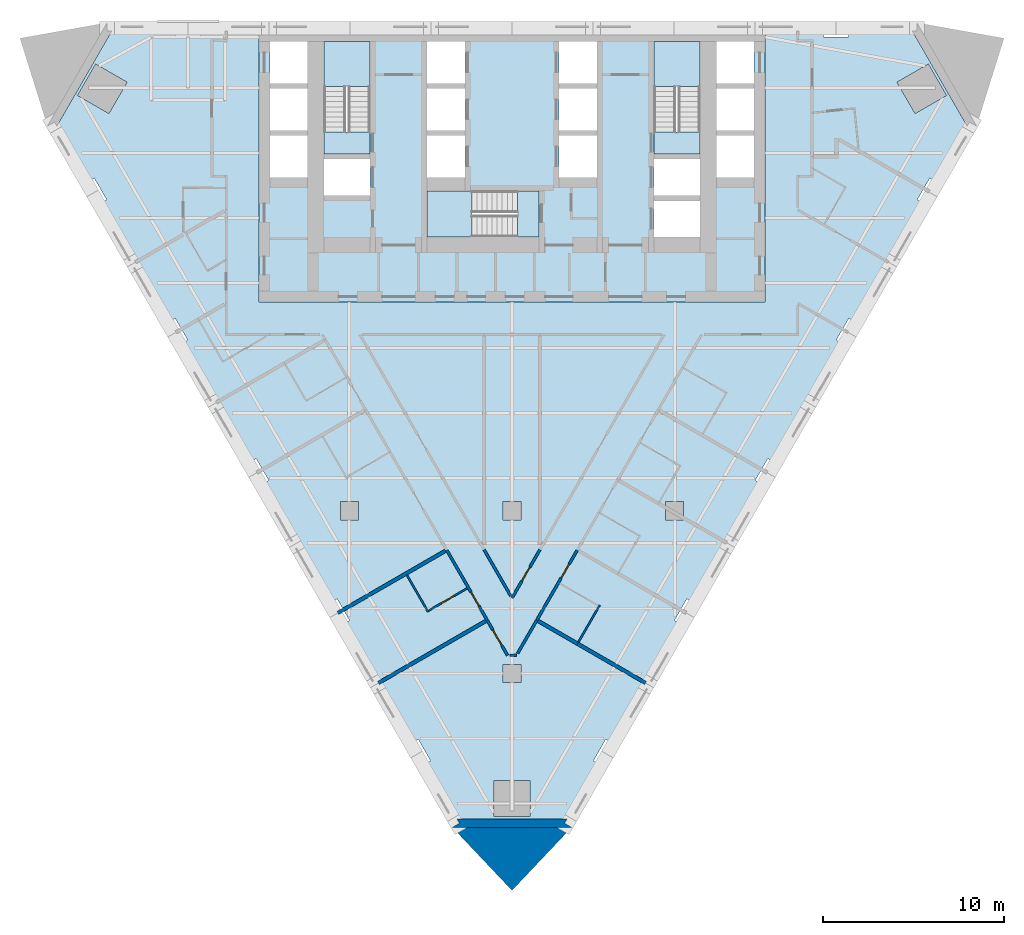
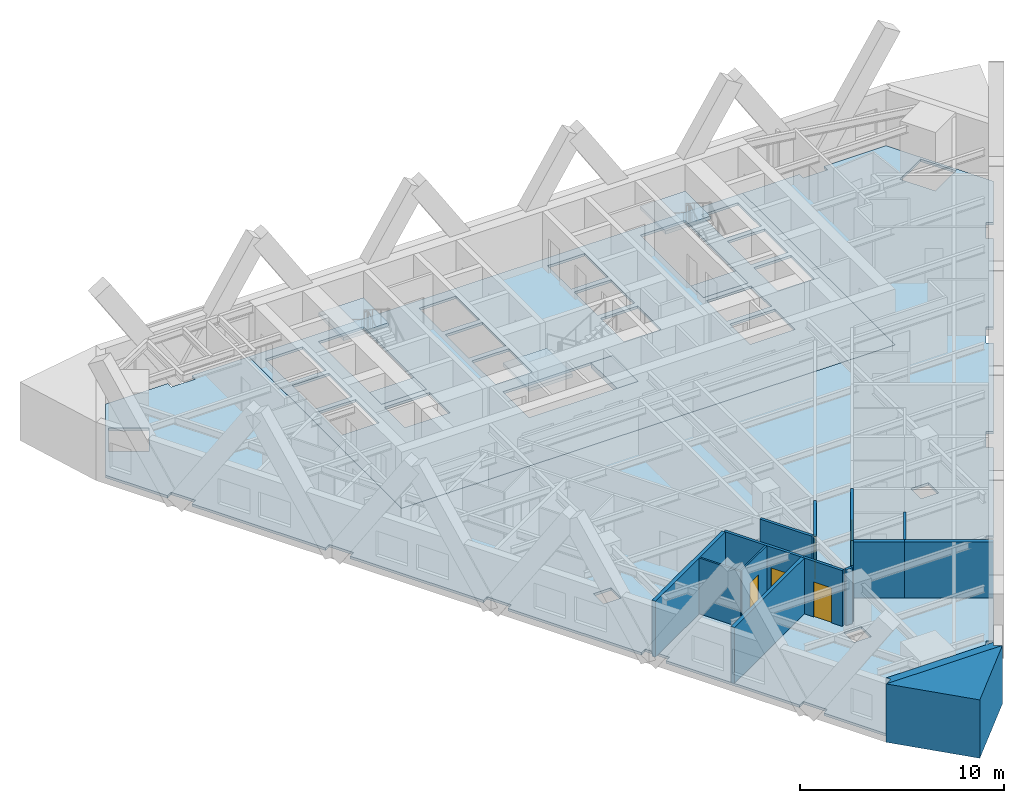
# One storey, part 2 of 9: 16 walls, 8 slabs, 5 doors, 5 openings, 3 elements without a shape of their own.
"""IFC4 building model written with IfcOpenShell, lengths in metres."""

from ifc_helpers import new_model, si_unit, direction, frame, frame_2d, origin, place, context, subcontext, project, spatial, polyline, rectangle, outline, extrude, material, layer, layer_set, type_object, element, fill, aggregate, save


model = new_model("IFC4")

# Units and contexts
model_context = context("Model", 3, precision=1e-05, world=origin(), true_north=direction((0.0, 1.0)))
body_context = subcontext(model_context, "Body", "Model", "MODEL_VIEW")
ifc_project = project(units=[si_unit("LENGTHUNIT", "METRE"), si_unit("AREAUNIT", "SQUARE_METRE"), si_unit("VOLUMEUNIT", "CUBIC_METRE"), si_unit("PLANEANGLEUNIT", "RADIAN"), si_unit("MASSUNIT", "GRAM", prefix="KILO")], contexts=[model_context])

# Site, building, storey
site_placement = place(None, origin())
site = spatial("IfcSite", under=ifc_project, at=site_placement, CompositionType="ELEMENT")
building_placement = place(site_placement, origin())
building = spatial("IfcBuilding", under=site, at=building_placement, Name="Aloe Facet Convention Tower", CompositionType="ELEMENT")
storey_placement = place(building_placement, frame((0.0, 0.0, 42.0)))
storey = spatial("IfcBuildingStorey", under=building, at=storey_placement, Name="L08", CompositionType="ELEMENT", Elevation=42.0)

# Slabs
ifc_material_1 = material(Name="Concrete C80/95", Category="concrete")
ifc_layer_1 = layer(ifc_material_1, 0.14990234375)
ifc_layer_set_1 = layer_set([ifc_layer_1], Name="CR-S-FLOOR150-C8095")
slab_type_1 = type_object("IfcSlabType", Name="CR-S-FLOOR150-C8095", PredefinedType="FLOOR", material=ifc_layer_set_1)
slab_1_placement = place(storey_placement, frame((0.0, 0.0, -0.14990234375)))
element("IfcSlab", 1, at=slab_1_placement, inside=storey, type_object=slab_type_1, Name="Core floor L08", PredefinedType="FLOOR", context=body_context, shape_type="SweptSolid", body=[
    extrude(outline(polyline([(69.300048828125, 134.550048828125), (71.85009765625, 134.550048828125), (72.75, 134.550048828125), (74.699951171875, 134.550048828125), (75.60009765625, 134.550048828125), (77.10009765625, 134.550048828125), (78.0, 134.550048828125), (82.0, 134.550048828125), (82.89990234375, 134.550048828125), (84.39990234375, 134.550048828125), (85.300048828125, 134.550048828125), (87.25, 134.550048828125), (88.14990234375, 134.550048828125), (90.699951171875, 134.550048828125), (91.0, 134.550048828125), (94.0, 134.550048828125), (94.0, 131.949951171875), (94.0, 131.050048828125), (94.0, 129.35009765625), (94.0, 128.449951171875), (94.0, 126.449951171875), (94.0, 125.85009765625), (94.0, 123.57373046875), (94.0, 122.523681640625), (94.0, 119.550048828125), (91.300048828125, 119.550048828125), (90.699951171875, 119.550048828125), (87.89990234375, 119.550048828125), (86.85009765625, 119.550048828125), (85.699951171875, 119.550048828125), (84.64990234375, 119.550048828125), (83.699951171875, 119.550048828125), (82.64990234375, 119.550048828125), (81.75, 119.550048828125), (80.699951171875, 119.550048828125), (79.61669921875, 119.550048828125), (78.566650390625, 119.550048828125), (77.4833984375, 119.550048828125), (76.433349609375, 119.550048828125), (75.35009765625, 119.550048828125), (74.300048828125, 119.550048828125), (73.14990234375, 119.550048828125), (72.10009765625, 119.550048828125), (69.300048828125, 119.550048828125), (68.699951171875, 119.550048828125), (66.0, 119.550048828125), (66.0, 122.523681640625), (66.0, 123.57373046875), (66.0, 125.85009765625), (66.0, 126.449951171875), (66.0, 128.449951171875), (66.0, 129.35009765625), (66.0, 131.050048828125), (66.0, 131.949951171875), (66.0, 134.550048828125), (69.0, 134.550048828125), (69.300048828125, 134.550048828125)]), holes=[polyline([(75.300048828125, 123.14990234375), (80.298828125, 123.14990234375), (81.5, 123.14990234375), (81.5, 125.699951171875), (80.298828125, 125.699951171875), (75.300048828125, 125.699951171875), (75.300048828125, 123.14990234375)]), polyline([(69.60009765625, 125.449951171875), (72.14990234375, 125.449951171875), (72.14990234375, 127.449951171875), (69.60009765625, 127.449951171875), (69.60009765625, 125.449951171875)]), polyline([(66.60009765625, 126.449951171875), (68.699951171875, 126.449951171875), (68.699951171875, 128.75), (66.60009765625, 128.75), (66.60009765625, 126.449951171875)]), polyline([(75.300048828125, 126.449951171875), (77.39990234375, 126.449951171875), (77.39990234375, 128.75), (75.300048828125, 128.75), (75.300048828125, 126.449951171875)]), polyline([(66.60009765625, 129.050048828125), (68.699951171875, 129.050048828125), (68.699951171875, 131.35009765625), (66.60009765625, 131.35009765625), (66.60009765625, 129.050048828125)]), polyline([(75.300048828125, 129.050048828125), (77.39990234375, 129.050048828125), (77.39990234375, 131.35009765625), (75.300048828125, 131.35009765625), (75.300048828125, 129.050048828125)]), polyline([(69.60009765625, 133.949951171875), (69.60009765625, 128.951171875), (69.60009765625, 127.75), (72.14990234375, 127.75), (72.14990234375, 128.951171875), (72.14990234375, 133.949951171875), (69.60009765625, 133.949951171875)]), polyline([(66.60009765625, 133.949951171875), (66.60009765625, 131.64990234375), (68.699951171875, 131.64990234375), (68.699951171875, 133.949951171875), (66.60009765625, 133.949951171875)]), polyline([(75.300048828125, 133.949951171875), (75.300048828125, 131.64990234375), (77.39990234375, 131.64990234375), (77.39990234375, 133.949951171875), (75.300048828125, 133.949951171875)]), polyline([(87.85009765625, 123.14990234375), (90.39990234375, 123.14990234375), (90.39990234375, 125.14990234375), (87.85009765625, 125.14990234375), (87.85009765625, 123.14990234375)]), polyline([(87.85009765625, 125.449951171875), (90.39990234375, 125.449951171875), (90.39990234375, 127.449951171875), (87.85009765625, 127.449951171875), (87.85009765625, 125.449951171875)]), polyline([(82.60009765625, 126.449951171875), (84.699951171875, 126.449951171875), (84.699951171875, 128.75), (82.60009765625, 128.75), (82.60009765625, 126.449951171875)]), polyline([(91.300048828125, 126.449951171875), (93.39990234375, 126.449951171875), (93.39990234375, 128.75), (91.300048828125, 128.75), (91.300048828125, 126.449951171875)]), polyline([(82.60009765625, 129.050048828125), (84.699951171875, 129.050048828125), (84.699951171875, 131.35009765625), (82.60009765625, 131.35009765625), (82.60009765625, 129.050048828125)]), polyline([(91.300048828125, 129.050048828125), (93.39990234375, 129.050048828125), (93.39990234375, 131.35009765625), (91.300048828125, 131.35009765625), (91.300048828125, 129.050048828125)]), polyline([(87.85009765625, 133.949951171875), (87.85009765625, 128.951171875), (87.85009765625, 127.75), (90.39990234375, 127.75), (90.39990234375, 128.951171875), (90.39990234375, 133.949951171875), (87.85009765625, 133.949951171875)]), polyline([(82.60009765625, 133.949951171875), (82.60009765625, 131.64990234375), (84.699951171875, 131.64990234375), (84.699951171875, 133.949951171875), (82.60009765625, 133.949951171875)]), polyline([(91.300048828125, 133.949951171875), (91.300048828125, 131.64990234375), (93.39990234375, 131.64990234375), (93.39990234375, 133.949951171875), (91.300048828125, 133.949951171875)])]), origin(), (0.0, 0.0, 1.0), 0.14990234375),
])
ifc_material_2 = material(Name="Concrete C80/95", Category="concrete")
ifc_layer_2 = layer(ifc_material_2, 0.300048828125)
ifc_layer_set_2 = layer_set([ifc_layer_2], Name="CR-S-FLOOR300-C8095")
slab_type_2 = type_object("IfcSlabType", Name="CR-S-FLOOR300-C8095", PredefinedType="FLOOR", material=ifc_layer_set_2)
slab_2_placement = place(storey_placement, frame((0.0, 0.0, -0.300048828125)))
element("IfcSlab", 2, at=slab_2_placement, inside=storey, type_object=slab_type_2, Name="Stair landing floor L08", PredefinedType="FLOOR", context=body_context, shape_type="SweptSolid", body=[
    extrude(outline(polyline([(72.14990234375, 127.75), (72.14990234375, 128.951171875), (69.60009765625, 128.951171875), (69.60009765625, 127.75), (72.14990234375, 127.75)])), origin(), (0.0, 0.0, 1.0), 0.300048828125),
])
slab_3_placement = place(storey_placement, frame((0.0, 0.0, -0.300048828125)))
element("IfcSlab", 3, at=slab_3_placement, inside=storey, type_object=slab_type_2, Name="Stair landing floor L08", PredefinedType="FLOOR", context=body_context, shape_type="SweptSolid", body=[
    extrude(outline(polyline([(90.39990234375, 127.75), (90.39990234375, 128.951171875), (87.85009765625, 128.951171875), (87.85009765625, 127.75), (90.39990234375, 127.75)])), origin(), (0.0, 0.0, 1.0), 0.300048828125),
])
slab_4_placement = place(storey_placement, frame((0.0, 0.0, -0.300048828125)))
element("IfcSlab", 4, at=slab_4_placement, inside=storey, type_object=slab_type_2, Name="Stair landing floor L08", PredefinedType="FLOOR", context=body_context, shape_type="SweptSolid", body=[
    extrude(outline(polyline([(81.5, 125.699951171875), (80.298828125, 125.699951171875), (80.298828125, 123.14990234375), (81.5, 123.14990234375), (81.5, 125.699951171875)])), origin(), (0.0, 0.0, 1.0), 0.300048828125),
])

# Stair, slab
ifc_material_3 = material(Name="Concrete C50/60", Category="concrete")
stair_type = type_object("IfcStairType", Name="CR-ST-20R", PredefinedType="HALF_TURN_STAIR", material=ifc_material_3)
stair_1_placement = place(storey_placement, origin())
stair_1 = element("IfcStair", 5, at=stair_1_placement, inside=storey, type_object=stair_type, Name="L08 Protected exit stair ST1", PredefinedType="HALF_TURN_STAIR")
ifc_material_4 = material(Name="Concrete C50/60", Category="concrete")
ifc_layer_3 = layer(ifc_material_4, 0.199951171875)
ifc_layer_set_3 = layer_set([ifc_layer_3], Name="CR-SL-LANDING")
slab_type_3 = type_object("IfcSlabType", Name="CR-SL-LANDING", PredefinedType="LANDING", material=ifc_layer_set_3)
slab_5_placement = place(storey_placement, frame((0.0, 0.0, 1.550048828125)))
slab_5 = element("IfcSlab", 6, at=slab_5_placement, type_object=slab_type_3, Name="ST1 landing 1", PredefinedType="LANDING", context=body_context, shape_type="SweptSolid", body=[
    extrude(outline(polyline([(72.14990234375, 131.469970703125), (72.14990234375, 133.949951171875), (69.60009765625, 133.949951171875), (69.60009765625, 131.469970703125), (72.14990234375, 131.469970703125)])), origin(), (0.0, 0.0, 1.0), 0.199951171875),
])
aggregate(stair_1, [slab_5])

stair_2_placement = place(storey_placement, origin())
stair_2 = element("IfcStair", 7, at=stair_2_placement, inside=storey, type_object=stair_type, Name="L08 Protected exit stair ST2", PredefinedType="HALF_TURN_STAIR")
slab_6_placement = place(storey_placement, frame((0.0, 0.0, 1.550048828125)))
slab_6 = element("IfcSlab", 8, at=slab_6_placement, type_object=slab_type_3, Name="ST2 landing 1", PredefinedType="LANDING", context=body_context, shape_type="SweptSolid", body=[
    extrude(outline(polyline([(90.39990234375, 131.469970703125), (90.39990234375, 133.949951171875), (87.85009765625, 133.949951171875), (87.85009765625, 131.469970703125), (90.39990234375, 131.469970703125)])), origin(), (0.0, 0.0, 1.0), 0.199951171875),
])
aggregate(stair_2, [slab_6])

stair_3_placement = place(storey_placement, origin())
stair_3 = element("IfcStair", 9, at=stair_3_placement, inside=storey, type_object=stair_type, Name="L08 Protected exit stair ST3", PredefinedType="HALF_TURN_STAIR")
slab_7_placement = place(storey_placement, frame((0.0, 0.0, 1.550048828125)))
slab_7 = element("IfcSlab", 10, at=slab_7_placement, type_object=slab_type_3, Name="ST3 landing 1", PredefinedType="LANDING", context=body_context, shape_type="SweptSolid", body=[
    extrude(outline(polyline([(77.780029296875, 125.699951171875), (75.300048828125, 125.699951171875), (75.300048828125, 123.14990234375), (77.780029296875, 123.14990234375), (77.780029296875, 125.699951171875)])), origin(), (0.0, 0.0, 1.0), 0.199951171875),
])
aggregate(stair_3, [slab_7])

# Slab
ifc_material_5 = material(Name="Concrete C35/45", Category="concrete")
ifc_layer_4 = layer(ifc_material_5, 0.14990234375)
ifc_layer_set_4 = layer_set([ifc_layer_4], Name="SF-FS-150")
slab_type_4 = type_object("IfcSlabType", Name="SF-FS-150", PredefinedType="FLOOR", material=ifc_layer_set_4)
slab_8_placement = place(storey_placement, frame((0.0, 0.0, -0.14990234375)))
element("IfcSlab", 11, at=slab_8_placement, inside=storey, type_object=slab_type_4, Name="Floor slab L08-1", PredefinedType="FLOOR", context=body_context, shape_type="SweptSolid", body=[
    extrude(outline(polyline([(105.180419921875, 129.2841796875), (103.4150390625, 126.226806640625), (103.112060546875, 126.401611328125), (103.06396484375, 126.318603515625), (103.06396484375, 126.318603515625), (102.76708984375, 125.804443359375), (102.470458984375, 125.290283203125), (102.470458984375, 125.290283203125), (102.42236328125, 125.207275390625), (102.7255859375, 125.0322265625), (98.93505859375, 118.467041015625), (98.632080078125, 118.64208984375), (98.583984375, 118.55908203125), (98.287109375, 118.044921875), (98.169921875, 117.841796875), (97.9423828125, 117.447509765625), (98.24560546875, 117.272705078125), (94.455078125, 110.70751953125), (94.152099609375, 110.882568359375), (93.93896484375, 110.513427734375), (93.80712890625, 110.285400390625), (93.68994140625, 110.082275390625), (93.46240234375, 109.68798828125), (93.765380859375, 109.512939453125), (89.97509765625, 102.947998046875), (89.672119140625, 103.122802734375), (89.6240234375, 103.039794921875), (89.4443359375, 102.728759765625), (89.3271484375, 102.525634765625), (89.2099609375, 102.32275390625), (89.030517578125, 102.01171875), (88.982421875, 101.928466796875), (89.285400390625, 101.75341796875), (85.4951171875, 95.188232421875), (85.19189453125, 95.36328125), (84.97900390625, 94.994140625), (84.96435546875, 94.968994140625), (84.84716796875, 94.76611328125), (84.72998046875, 94.56298828125), (84.6796875, 94.47607421875), (84.50244140625, 94.168701171875), (84.805419921875, 93.993896484375), (83.040283203125, 90.936279296875), (76.959716796875, 90.936279296875), (75.194580078125, 93.993896484375), (75.49755859375, 94.168701171875), (75.092529296875, 94.87060546875), (74.80810546875, 95.36328125), (74.5048828125, 95.188232421875), (70.714599609375, 101.75341796875), (71.017578125, 101.928466796875), (70.7900390625, 102.32275390625), (70.50537109375, 102.815673828125), (70.3759765625, 103.039794921875), (70.327880859375, 103.122802734375), (70.02490234375, 102.947998046875), (66.234619140625, 109.512939453125), (66.53759765625, 109.68798828125), (66.489501953125, 109.771240234375), (66.324462890625, 110.05712890625), (66.176513671875, 110.313232421875), (66.025390625, 110.5751953125), (65.89599609375, 110.79931640625), (65.847900390625, 110.882568359375), (65.544921875, 110.70751953125), (61.75439453125, 117.272705078125), (62.0576171875, 117.447509765625), (61.830078125, 117.841796875), (61.712890625, 118.044921875), (61.6552734375, 118.144775390625), (61.595703125, 118.247802734375), (61.486572265625, 118.436767578125), (61.367919921875, 118.64208984375), (61.06494140625, 118.467041015625), (57.2744140625, 125.0322265625), (57.57763671875, 125.207275390625), (57.529541015625, 125.290283203125), (57.35009765625, 125.6015625), (57.076416015625, 126.0751953125), (56.93603515625, 126.318603515625), (56.887939453125, 126.401611328125), (56.5849609375, 126.226806640625), (54.819580078125, 129.2841796875), (57.85986328125, 134.550048828125), (61.390380859375, 134.550048828125), (61.390380859375, 134.199951171875), (61.486328125, 134.199951171875), (61.845703125, 134.199951171875), (62.080078125, 134.199951171875), (62.314453125, 134.199951171875), (62.673583984375, 134.199951171875), (62.76953125, 134.199951171875), (62.76953125, 134.550048828125), (66.0, 134.550048828125), (66.0, 131.949951171875), (66.0, 131.050048828125), (66.0, 129.35009765625), (66.0, 128.449951171875), (66.0, 126.449951171875), (66.0, 125.85009765625), (66.0, 123.57373046875), (66.0, 122.523681640625), (66.0, 119.550048828125), (68.699951171875, 119.550048828125), (69.300048828125, 119.550048828125), (72.10009765625, 119.550048828125), (73.14990234375, 119.550048828125), (74.300048828125, 119.550048828125), (75.35009765625, 119.550048828125), (76.433349609375, 119.550048828125), (77.4833984375, 119.550048828125), (78.566650390625, 119.550048828125), (79.61669921875, 119.550048828125), (80.699951171875, 119.550048828125), (81.75, 119.550048828125), (82.64990234375, 119.550048828125), (83.699951171875, 119.550048828125), (84.64990234375, 119.550048828125), (85.699951171875, 119.550048828125), (86.85009765625, 119.550048828125), (87.89990234375, 119.550048828125), (90.699951171875, 119.550048828125), (91.300048828125, 119.550048828125), (94.0, 119.550048828125), (94.0, 122.523681640625), (94.0, 123.57373046875), (94.0, 125.85009765625), (94.0, 126.449951171875), (94.0, 128.449951171875), (94.0, 129.35009765625), (94.0, 131.050048828125), (94.0, 131.949951171875), (94.0, 134.550048828125), (97.23046875, 134.550048828125), (97.23046875, 134.199951171875), (97.326416015625, 134.199951171875), (97.685546875, 134.199951171875), (97.919921875, 134.199951171875), (98.154296875, 134.199951171875), (98.513671875, 134.199951171875), (98.609619140625, 134.199951171875), (98.609619140625, 134.550048828125), (102.14013671875, 134.550048828125), (105.180419921875, 129.2841796875)]), holes=[polyline([(57.70166015625, 129.97607421875), (58.70166015625, 131.7080078125), (56.969482421875, 132.7080078125), (55.969482421875, 130.97607421875), (57.70166015625, 129.97607421875)]), polyline([(79.0, 93.086181640625), (79.0, 91.086181640625), (81.0, 91.086181640625), (81.0, 93.086181640625), (79.0, 93.086181640625)]), polyline([(79.5, 99.5), (79.5, 98.5), (80.5, 98.5), (80.5, 99.5), (79.5, 99.5)]), polyline([(70.5, 108.5), (70.5, 107.5), (71.5, 107.5), (71.5, 108.5), (70.5, 108.5)]), polyline([(79.5, 107.5), (80.5, 107.5), (80.5, 108.5), (79.5, 108.5), (79.5, 107.5)]), polyline([(88.5, 107.5), (89.5, 107.5), (89.5, 108.5), (88.5, 108.5), (88.5, 107.5)]), polyline([(102.29833984375, 129.97607421875), (104.030517578125, 130.97607421875), (103.030517578125, 132.7080078125), (101.29833984375, 131.7080078125), (102.29833984375, 129.97607421875)])]), origin(), (0.0, 0.0, 1.0), 0.14990234375),
])

# Walls
ifc_material_6 = material(Name="Precast concrete C40/50", Category="concrete")
ifc_layer_5 = layer(ifc_material_6, 0.449951171875)
ifc_layer_set_5 = layer_set([ifc_layer_5], Name="EV-WALL-PIER")
wall_type_1 = type_object("IfcWallType", Name="EV-WALL-PIER", PredefinedType="SOLIDWALL", material=ifc_layer_set_5)
wall_1_placement = place(storey_placement, frame((0.0, 0.0, -0.14990234375)))
element("IfcWall", 12, at=wall_1_placement, inside=storey, type_object=wall_type_1, Name="EP-L08-B", PredefinedType="SOLIDWALL", context=body_context, shape_type="SweptSolid", body=[
    extrude(outline(polyline([(76.699951171875, 90.486328125), (77.089599609375, 90.711181640625), (76.959716796875, 90.936279296875), (83.040283203125, 90.936279296875), (82.910400390625, 90.711181640625), (83.300048828125, 90.486328125), (76.699951171875, 90.486328125)])), origin(), (0.0, 0.0, 1.0), 3.5),
])
ifc_material_7 = material(Name="Precast concrete C40/50", Category="concrete")
ifc_layer_6 = layer(ifc_material_7, 3.947998046875)
ifc_layer_set_6 = layer_set([ifc_layer_6], Name="EV-WALL-SPINE")
wall_type_2 = type_object("IfcWallType", Name="EV-WALL-SPINE", PredefinedType="SOLIDWALL", material=ifc_layer_set_6)
wall_2_placement = place(storey_placement, frame((0.0, 0.0, -0.14990234375)))
element("IfcWall", 13, at=wall_2_placement, inside=storey, type_object=wall_type_2, Name="SP-S-L08", PredefinedType="SOLIDWALL", context=body_context, shape_type="SweptSolid", body=[
    extrude(outline(polyline([(76.699951171875, 90.486328125), (80.0, 86.995849609375), (83.300048828125, 90.486328125), (76.699951171875, 90.486328125)])), origin(), (0.0, 0.0, 1.0), 3.5),
])

# Wall, opening, door
ifc_material_8 = material(Name="Gypsum board partition on steel studs", Category="steel")
ifc_layer_7 = layer(ifc_material_8, 0.14990234375)
ifc_layer_set_7 = layer_set([ifc_layer_7], Name="IN-W-CORR")
wall_type_3 = type_object("IfcWallType", Name="IN-W-CORR", PredefinedType="PARTITIONING", material=ifc_layer_set_7)
wall_3_placement = place(storey_placement, frame((78.628662109375, 101.94580078125, 0.0), z_axis=(0.0, 0.0, 1.0), x_axis=(0.499960746528, -0.866048065601, 0.0)))
wall_3 = element("IfcWall", 14, at=wall_3_placement, inside=storey, type_object=wall_type_3, Name="Partition L08-W002", PredefinedType="PARTITIONING", context=body_context, shape_type="SweptSolid", body=[
    extrude(rectangle(XDim=2.246826171875, YDim=0.14990234375, at=frame_2d((1.12353515625, 0.0))), origin(), (0.0, 0.0, 1.0), 3.35009765625),
])
opening_1_placement = place(wall_3_placement, frame((0.62353515625, 0.0, 0.0)))
opening_1 = element("IfcOpeningElement", 15, at=opening_1_placement, cuts=wall_3, Name="Opening L08-013", PredefinedType="OPENING", context=body_context, shape_type="SweptSolid", body=[
    extrude(rectangle(XDim=1.0, YDim=2.10009765625, at=frame_2d((0.5, 1.050048828125))), frame((0.0, 0.0849609375, 0.0), z_axis=(0.0, -1.0, 0.0), x_axis=(1.0, 0.0, 0.0)), (0.0, 0.0, 1.0), 0.169921875),
])
ifc_material_9 = material(Name="Hardwood flush door FD30S", Category="wood")
door_type_1 = type_object("IfcDoorType", Name="IN-D-WIDE", OperationType="SINGLE_SWING_LEFT", PredefinedType="DOOR", material=ifc_material_9)
door_1_placement = place(opening_1_placement, origin())
door_1 = element("IfcDoor", 16, at=door_1_placement, inside=storey, type_object=door_type_1, Name="Door L08-013", OperationType="SINGLE_SWING_LEFT", OverallHeight=2.10009765625, OverallWidth=1.0, PredefinedType="DOOR", context=body_context, shape_type="SweptSolid", body=[
    extrude(rectangle(XDim=1.0, YDim=2.10009765625, at=frame_2d((0.5, 1.050048828125))), frame((0.0, 0.02490234375, 0.0), z_axis=(0.0, -1.0, 0.0), x_axis=(1.0, 0.0, 0.0)), (0.0, 0.0, 1.0), 0.050048828125),
])
fill(opening_1, door_1)

# Wall
wall_4_placement = place(storey_placement, frame((79.882080078125, 100.0, 0.0), z_axis=(0.0, 0.0, 1.0), x_axis=(1.0, 0.0, 0.0)))
element("IfcWall", 17, at=wall_4_placement, inside=storey, type_object=wall_type_3, Name="Partition L08-W003", PredefinedType="PARTITIONING", context=body_context, shape_type="SweptSolid", body=[
    extrude(rectangle(XDim=0.365478515625, YDim=0.14990234375, at=frame_2d((0.1826171875, 0.0))), origin(), (0.0, 0.0, 1.0), 3.35009765625),
])

# Wall, opening, door
wall_5_placement = place(storey_placement, frame((76.388671875, 105.82568359375, 0.0), z_axis=(0.0, 0.0, 1.0), x_axis=(0.499989762656, -0.866031314237, 0.0)))
wall_5 = element("IfcWall", 18, at=wall_5_placement, inside=storey, type_object=wall_type_3, Name="Partition L08-W006", PredefinedType="PARTITIONING", context=body_context, shape_type="SweptSolid", body=[
    extrude(rectangle(XDim=4.47998046875, YDim=0.14990234375, at=frame_2d((2.239990234375, 0.0))), origin(), (0.0, 0.0, 1.0), 3.35009765625),
])
opening_2_placement = place(wall_5_placement, frame((2.68408203125, 0.0, 0.0)))
opening_2 = element("IfcOpeningElement", 19, at=opening_2_placement, cuts=wall_5, Name="Opening L08-006", PredefinedType="OPENING", context=body_context, shape_type="SweptSolid", body=[
    extrude(rectangle(XDim=0.89990234375, YDim=2.10009765625, at=frame_2d((0.449951171875, 1.050048828125))), frame((0.0, 0.0849609375, 0.0), z_axis=(0.0, -1.0, 0.0), x_axis=(1.0, 0.0, 0.0)), (0.0, 0.0, 1.0), 0.169921875),
])
ifc_material_10 = material(Name="Hardwood flush door FD30S", Category="wood")
door_type_2 = type_object("IfcDoorType", Name="IN-D-GUEST", OperationType="SINGLE_SWING_LEFT", PredefinedType="DOOR", material=ifc_material_10)
door_2_placement = place(opening_2_placement, origin())
door_2 = element("IfcDoor", 20, at=door_2_placement, inside=storey, type_object=door_type_2, Name="Door L08-006", OperationType="SINGLE_SWING_LEFT", OverallHeight=2.10009765625, OverallWidth=0.89990234375, PredefinedType="DOOR", context=body_context, shape_type="SweptSolid", body=[
    extrude(rectangle(XDim=0.89990234375, YDim=2.10009765625, at=frame_2d((0.449951171875, 1.050048828125))), frame((0.0, 0.02490234375, 0.0), z_axis=(0.0, -1.0, 0.0), x_axis=(1.0, 0.0, 0.0)), (0.0, 0.0, 1.0), 0.050048828125),
])
fill(opening_2, door_2)

# Wall
wall_6_placement = place(storey_placement, frame((80.312744140625, 100.112548828125, 0.0), z_axis=(0.0, 0.0, 1.0), x_axis=(0.5000585414, 0.865991602253, 0.0)))
element("IfcWall", 21, at=wall_6_placement, inside=storey, type_object=wall_type_3, Name="Partition L08-W007", PredefinedType="PARTITIONING", context=body_context, shape_type="SweptSolid", body=[
    extrude(rectangle(XDim=2.116943359375, YDim=0.14990234375, at=frame_2d((1.05859375, 0.0))), origin(), (0.0, 0.0, 1.0), 3.35009765625),
])

# Wall, opening, door
wall_7_placement = place(storey_placement, frame((80.0, 103.17041015625, 0.0), z_axis=(0.0, 0.0, 1.0), x_axis=(0.499980071345, 0.866036909293, 0.0)))
wall_7 = element("IfcWall", 22, at=wall_7_placement, inside=storey, type_object=wall_type_3, Name="Partition L08-W014", PredefinedType="PARTITIONING", context=body_context, shape_type="SweptSolid", body=[
    extrude(rectangle(XDim=3.090087890625, YDim=0.14990234375, at=frame_2d((1.544921875, 0.0))), origin(), (0.0, 0.0, 1.0), 3.35009765625),
])
opening_3_placement = place(wall_7_placement, frame((1.094970703125, 0.0, 0.0)))
opening_3 = element("IfcOpeningElement", 23, at=opening_3_placement, cuts=wall_7, Name="Opening L08-015", PredefinedType="OPENING", context=body_context, shape_type="SweptSolid", body=[
    extrude(rectangle(XDim=0.89990234375, YDim=2.10009765625, at=frame_2d((0.449951171875, 1.050048828125))), frame((0.0, 0.0849609375, 0.0), z_axis=(0.0, -1.0, 0.0), x_axis=(1.0, 0.0, 0.0)), (0.0, 0.0, 1.0), 0.169921875),
])
door_3_placement = place(opening_3_placement, origin())
door_3 = element("IfcDoor", 24, at=door_3_placement, inside=storey, type_object=door_type_2, Name="Door L08-015", OperationType="SINGLE_SWING_LEFT", OverallHeight=2.10009765625, OverallWidth=0.89990234375, PredefinedType="DOOR", context=body_context, shape_type="SweptSolid", body=[
    extrude(rectangle(XDim=0.89990234375, YDim=2.10009765625, at=frame_2d((0.449951171875, 1.050048828125))), frame((0.0, 0.02490234375, 0.0), z_axis=(0.0, -1.0, 0.0), x_axis=(1.0, 0.0, 0.0)), (0.0, 0.0, 1.0), 0.050048828125),
])
fill(opening_3, door_3)

wall_8_placement = place(storey_placement, frame((81.371337890625, 101.94580078125, 0.0), z_axis=(0.0, 0.0, 1.0), x_axis=(0.499989762656, 0.866031314237, 0.0)))
wall_8 = element("IfcWall", 25, at=wall_8_placement, inside=storey, type_object=wall_type_3, Name="Partition L08-W024", PredefinedType="PARTITIONING", context=body_context, shape_type="SweptSolid", body=[
    extrude(rectangle(XDim=4.47998046875, YDim=0.14990234375, at=frame_2d((2.239990234375, 0.0))), origin(), (0.0, 0.0, 1.0), 3.35009765625),
])
opening_4_placement = place(wall_8_placement, frame((2.68408203125, 0.0, 0.0)))
opening_4 = element("IfcOpeningElement", 26, at=opening_4_placement, cuts=wall_8, Name="Opening L08-007", PredefinedType="OPENING", context=body_context, shape_type="SweptSolid", body=[
    extrude(rectangle(XDim=0.89990234375, YDim=2.10009765625, at=frame_2d((0.449951171875, 1.050048828125))), frame((0.0, 0.0849609375, 0.0), z_axis=(0.0, -1.0, 0.0), x_axis=(1.0, 0.0, 0.0)), (0.0, 0.0, 1.0), 0.169921875),
])
door_4_placement = place(opening_4_placement, origin())
door_4 = element("IfcDoor", 27, at=door_4_placement, inside=storey, type_object=door_type_2, Name="Door L08-007", OperationType="SINGLE_SWING_LEFT", OverallHeight=2.10009765625, OverallWidth=0.89990234375, PredefinedType="DOOR", context=body_context, shape_type="SweptSolid", body=[
    extrude(rectangle(XDim=0.89990234375, YDim=2.10009765625, at=frame_2d((0.449951171875, 1.050048828125))), frame((0.0, 0.02490234375, 0.0), z_axis=(0.0, -1.0, 0.0), x_axis=(1.0, 0.0, 0.0)), (0.0, 0.0, 1.0), 0.050048828125),
])
fill(opening_4, door_4)

# Walls
wall_9_placement = place(storey_placement, frame((78.455078125, 105.846435546875, 0.0), z_axis=(0.0, 0.0, 1.0), x_axis=(0.499988999718, -0.866031754707, 0.0)))
element("IfcWall", 28, at=wall_9_placement, inside=storey, type_object=wall_type_3, Name="Partition L08-W026", PredefinedType="PARTITIONING", context=body_context, shape_type="SweptSolid", body=[
    extrude(rectangle(XDim=2.9599609375, YDim=0.14990234375, at=frame_2d((1.47998046875, 0.0))), origin(), (0.0, 0.0, 1.0), 3.35009765625),
])
ifc_material_11 = material(Name="Gypsum board partition on steel studs", Category="steel")
ifc_layer_8 = layer(ifc_material_11, 0.10009765625)
ifc_layer_set_8 = layer_set([ifc_layer_8], Name="IN-W-PART")
wall_type_4 = type_object("IfcWallType", Name="IN-W-PART", PredefinedType="PARTITIONING", material=ifc_layer_set_8)
wall_10_placement = place(storey_placement, frame((74.18701171875, 104.43896484375, 0.0), z_axis=(0.0, 0.0, 1.0), x_axis=(0.499938297808, -0.866061024631, 0.0)))
element("IfcWall", 29, at=wall_10_placement, inside=storey, type_object=wall_type_4, Name="Partition L08-W012", PredefinedType="PARTITIONING", context=body_context, shape_type="SweptSolid", body=[
    extrude(rectangle(XDim=2.349853515625, YDim=0.10009765625, at=frame_2d((1.1748046875, 0.0))), origin(), (0.0, 0.0, 1.0), 3.35009765625),
])
wall_11_placement = place(storey_placement, frame((83.677978515625, 100.7412109375, 0.0), z_axis=(0.0, 0.0, 1.0), x_axis=(0.500077683152, 0.86598054875, 0.0)))
element("IfcWall", 30, at=wall_11_placement, inside=storey, type_object=wall_type_4, Name="Partition L08-W013", PredefinedType="PARTITIONING", context=body_context, shape_type="SweptSolid", body=[
    extrude(rectangle(XDim=2.340087890625, YDim=0.10009765625, at=frame_2d((1.169921875, 0.0))), origin(), (0.0, 0.0, 1.0), 3.35009765625),
])

# Wall, opening, door
wall_12_placement = place(storey_placement, frame((75.388916015625, 102.477294921875, 0.0), z_axis=(0.0, 0.0, 1.0), x_axis=(0.866006720078, 0.500032359733, 0.0)))
wall_12 = element("IfcWall", 31, at=wall_12_placement, inside=storey, type_object=wall_type_4, Name="Partition L08-W015", PredefinedType="PARTITIONING", context=body_context, shape_type="SweptSolid", body=[
    extrude(rectangle(XDim=2.454833984375, YDim=0.10009765625, at=frame_2d((1.2275390625, 0.0))), origin(), (0.0, 0.0, 1.0), 3.35009765625),
])
opening_5_placement = place(wall_12_placement, frame((0.827392578125, 0.0, 0.0)))
opening_5 = element("IfcOpeningElement", 32, at=opening_5_placement, cuts=wall_12, Name="Opening L08-022", PredefinedType="OPENING", context=body_context, shape_type="SweptSolid", body=[
    extrude(rectangle(XDim=0.800048828125, YDim=2.10009765625, at=frame_2d((0.39990234375, 1.050048828125))), frame((0.0, 0.06005859375, 0.0), z_axis=(0.0, -1.0, 0.0), x_axis=(1.0, 0.0, 0.0)), (0.0, 0.0, 1.0), 0.1201171875),
])
ifc_material_12 = material(Name="Timber flush door", Category="wood")
door_type_3 = type_object("IfcDoorType", Name="IN-D-BATH", OperationType="SINGLE_SWING_LEFT", PredefinedType="DOOR", material=ifc_material_12)
door_5_placement = place(opening_5_placement, origin())
door_5 = element("IfcDoor", 33, at=door_5_placement, inside=storey, type_object=door_type_3, Name="Door L08-022", OperationType="SINGLE_SWING_LEFT", OverallHeight=2.10009765625, OverallWidth=0.800048828125, PredefinedType="DOOR", context=body_context, shape_type="SweptSolid", body=[
    extrude(rectangle(XDim=0.800048828125, YDim=2.10009765625, at=frame_2d((0.39990234375, 1.050048828125))), frame((0.0, 0.02490234375, 0.0), z_axis=(0.0, -1.0, 0.0), x_axis=(1.0, 0.0, 0.0)), (0.0, 0.0, 1.0), 0.050048828125),
])
fill(opening_5, door_5)

# Walls
ifc_material_13 = material(Name="Gypsum board partition on steel studs", Category="steel")
ifc_layer_9 = layer(ifc_material_13, 0.199951171875)
ifc_layer_set_9 = layer_set([ifc_layer_9], Name="IN-W-PARTY")
wall_type_5 = type_object("IfcWallType", Name="IN-W-PARTY", PredefinedType="PARTITIONING", material=ifc_layer_set_9)
wall_13_placement = place(storey_placement, frame((72.609619140625, 98.470947265625, 0.0), z_axis=(0.0, 0.0, 1.0), x_axis=(0.866031836714, 0.499988857673, 0.0)))
element("IfcWall", 34, at=wall_13_placement, inside=storey, type_object=wall_type_5, Name="Partition L08-W001", PredefinedType="PARTITIONING", context=body_context, shape_type="SweptSolid", body=[
    extrude(rectangle(XDim=6.875244140625, YDim=0.199951171875, at=frame_2d((3.4375, 0.0))), origin(), (0.0, 0.0, 1.0), 3.35009765625),
])
wall_14_placement = place(storey_placement, frame((81.445068359375, 101.9033203125, 0.0), z_axis=(0.0, 0.0, 1.0), x_axis=(0.866048176357, -0.499960554673, 0.0)))
element("IfcWall", 35, at=wall_14_placement, inside=storey, type_object=wall_type_5, Name="Partition L08-W004", PredefinedType="PARTITIONING", context=body_context, shape_type="SweptSolid", body=[
    extrude(rectangle(XDim=2.514892578125, YDim=0.199951171875, at=frame_2d((1.25732421875, 0.0))), origin(), (0.0, 0.0, 1.0), 3.35009765625),
])
wall_15_placement = place(storey_placement, frame((83.623046875, 100.64599609375, 0.0), z_axis=(0.0, 0.0, 1.0), x_axis=(0.866027639635, -0.499996127374, 0.0)))
element("IfcWall", 36, at=wall_15_placement, inside=storey, type_object=wall_type_5, Name="Partition L08-W005", PredefinedType="PARTITIONING", context=body_context, shape_type="SweptSolid", body=[
    extrude(rectangle(XDim=4.35009765625, YDim=0.199951171875, at=frame_2d((2.175048828125, 0.0))), origin(), (0.0, 0.0, 1.0), 3.35009765625),
])
wall_16_placement = place(storey_placement, frame((70.36962890625, 102.3505859375, 0.0), z_axis=(0.0, 0.0, 1.0), x_axis=(0.866019763911, 0.500009768421, 0.0)))
element("IfcWall", 37, at=wall_16_placement, inside=storey, type_object=wall_type_5, Name="Partition L08-W010", PredefinedType="PARTITIONING", context=body_context, shape_type="SweptSolid", body=[
    extrude(rectangle(XDim=6.864990234375, YDim=0.199951171875, at=frame_2d((3.4326171875, 0.0))), origin(), (0.0, 0.0, 1.0), 3.35009765625),
])

save(model, "model.ifc")
